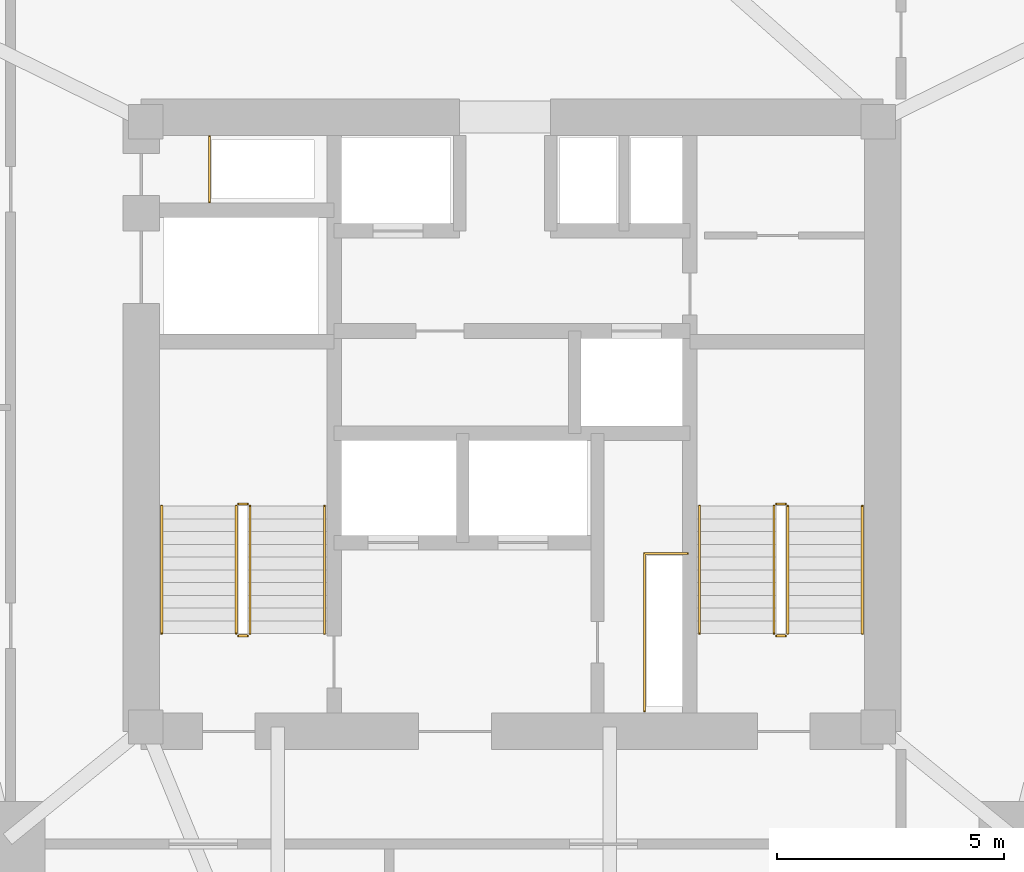
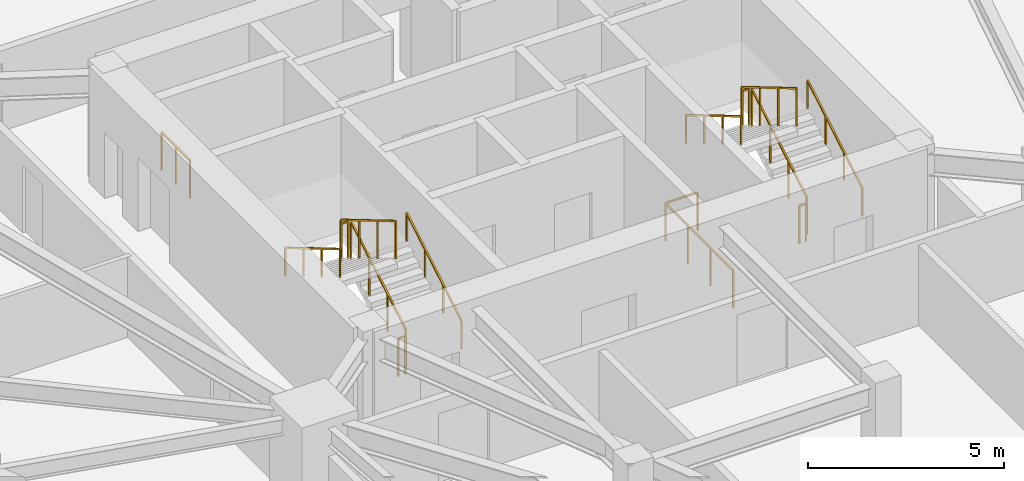
# One storey, part 13 of 13: 14 railings.
"""IFC4 building model written with IfcOpenShell, lengths in metres."""

from ifc_helpers import new_model, si_unit, direction, frame, origin, origin_2d, place, context, subcontext, project, spatial, rectangle, extrude, material, type_object, element, save


model = new_model("IFC4")

# Units and contexts
model_context = context("Model", 3, precision=1e-05, world=origin(), true_north=direction((0.0, 1.0)))
body_context = subcontext(model_context, "Body", "Model", "MODEL_VIEW")
ifc_project = project(units=[si_unit("LENGTHUNIT", "METRE"), si_unit("AREAUNIT", "SQUARE_METRE"), si_unit("VOLUMEUNIT", "CUBIC_METRE"), si_unit("PLANEANGLEUNIT", "RADIAN"), si_unit("MASSUNIT", "GRAM", prefix="KILO")], contexts=[model_context])

# Site, building, storey
site_placement = place(None, origin())
site = spatial("IfcSite", under=ifc_project, at=site_placement, CompositionType="ELEMENT")
building_placement = place(site_placement, origin())
building = spatial("IfcBuilding", under=site, at=building_placement, Name="Talyreon Biosciences Tower", CompositionType="ELEMENT")
storey_placement = place(building_placement, frame((0.0, 0.0, 104.199951171875)))
storey = spatial("IfcBuildingStorey", under=building, at=storey_placement, Name="L27", CompositionType="ELEMENT", Elevation=104.199951171875)

# Railings
ifc_material_1 = material(Name="Brushed stainless-steel tubular handrail", Category="steel")
railing_type_1 = type_object("IfcRailingType", Name="StairWallHandrail_900", PredefinedType="HANDRAIL", material=ifc_material_1)
railing_1_placement = place(storey_placement, frame((61.8798828125, 63.39990234375, 0.166015625)))
element("IfcRailing", 1, at=railing_1_placement, inside=storey, type_object=railing_type_1, Name="L27 ST-1 stair handrail 1", PredefinedType="HANDRAIL", context=body_context, shape_type="SweptSolid", body=[
    extrude(rectangle(XDim=0.048095703125, YDim=0.048095703125, at=origin_2d()), frame((0.0, 0.0, 0.8759765625), z_axis=(0.0, 0.860339051648, 0.50972219513), x_axis=(-1.0, 0.0, 0.0)), (0.0, 0.0, 1.0), 3.254638671875),
    extrude(rectangle(XDim=0.0419921875, YDim=0.0419921875, at=origin_2d()), origin(), (0.0, 0.0, 1.0), 0.851806640625),
    extrude(rectangle(XDim=0.0419921875, YDim=0.0419921875, at=origin_2d()), frame((0.0, 0.933349609375, 0.552978515625)), (0.0, 0.0, 1.0), 0.851806640625),
    extrude(rectangle(XDim=0.0419921875, YDim=0.0419921875, at=origin_2d()), frame((0.0, 1.86669921875, 1.10595703125)), (0.0, 0.0, 1.0), 0.851806640625),
    extrude(rectangle(XDim=0.0419921875, YDim=0.0419921875, at=origin_2d()), frame((0.0, 2.800048828125, 1.658935546875)), (0.0, 0.0, 1.0), 0.851806640625),
])
railing_2_placement = place(storey_placement, frame((58.300048828125, 66.199951171875, 1.990966796875)))
element("IfcRailing", 2, at=railing_2_placement, inside=storey, type_object=railing_type_1, Name="L27 ST-1 stair handrail 2", PredefinedType="HANDRAIL", context=body_context, shape_type="SweptSolid", body=[
    extrude(rectangle(XDim=0.048095703125, YDim=0.048095703125, at=origin_2d()), frame((0.0, 0.0, 0.8759765625), z_axis=(0.0, -0.860306154799, 0.50977771628), x_axis=(1.0, 0.0, 0.0)), (0.0, 0.0, 1.0), 3.254638671875),
    extrude(rectangle(XDim=0.0419921875, YDim=0.0419921875, at=origin_2d()), origin(), (0.0, 0.0, 1.0), 0.851806640625),
    extrude(rectangle(XDim=0.0419921875, YDim=0.0419921875, at=origin_2d()), frame((0.0, -0.933349609375, 0.552978515625)), (0.0, 0.0, 1.0), 0.851806640625),
    extrude(rectangle(XDim=0.0419921875, YDim=0.0419921875, at=origin_2d()), frame((0.0, -1.86669921875, 1.106201171875)), (0.0, 0.0, 1.0), 0.851806640625),
    extrude(rectangle(XDim=0.0419921875, YDim=0.0419921875, at=origin_2d()), frame((0.0, -2.800048828125, 1.6591796875)), (0.0, 0.0, 1.0), 0.851806640625),
])
railing_3_placement = place(storey_placement, frame((73.699951171875, 63.39990234375, 0.166015625)))
element("IfcRailing", 3, at=railing_3_placement, inside=storey, type_object=railing_type_1, Name="L27 ST-2 stair handrail 1", PredefinedType="HANDRAIL", context=body_context, shape_type="SweptSolid", body=[
    extrude(rectangle(XDim=0.048095703125, YDim=0.048095703125, at=origin_2d()), frame((0.0, 0.0, 0.8759765625), z_axis=(0.0, 0.860339051648, 0.50972219513), x_axis=(-1.0, 0.0, 0.0)), (0.0, 0.0, 1.0), 3.254638671875),
    extrude(rectangle(XDim=0.0419921875, YDim=0.0419921875, at=origin_2d()), origin(), (0.0, 0.0, 1.0), 0.851806640625),
    extrude(rectangle(XDim=0.0419921875, YDim=0.0419921875, at=origin_2d()), frame((0.0, 0.933349609375, 0.552978515625)), (0.0, 0.0, 1.0), 0.851806640625),
    extrude(rectangle(XDim=0.0419921875, YDim=0.0419921875, at=origin_2d()), frame((0.0, 1.86669921875, 1.10595703125)), (0.0, 0.0, 1.0), 0.851806640625),
    extrude(rectangle(XDim=0.0419921875, YDim=0.0419921875, at=origin_2d()), frame((0.0, 2.800048828125, 1.658935546875)), (0.0, 0.0, 1.0), 0.851806640625),
])
railing_4_placement = place(storey_placement, frame((70.1201171875, 66.199951171875, 1.990966796875)))
element("IfcRailing", 4, at=railing_4_placement, inside=storey, type_object=railing_type_1, Name="L27 ST-2 stair handrail 2", PredefinedType="HANDRAIL", context=body_context, shape_type="SweptSolid", body=[
    extrude(rectangle(XDim=0.048095703125, YDim=0.048095703125, at=origin_2d()), frame((0.0, 0.0, 0.8759765625), z_axis=(0.0, -0.860306154799, 0.50977771628), x_axis=(1.0, 0.0, 0.0)), (0.0, 0.0, 1.0), 3.254638671875),
    extrude(rectangle(XDim=0.0419921875, YDim=0.0419921875, at=origin_2d()), origin(), (0.0, 0.0, 1.0), 0.851806640625),
    extrude(rectangle(XDim=0.0419921875, YDim=0.0419921875, at=origin_2d()), frame((0.0, -0.933349609375, 0.552978515625)), (0.0, 0.0, 1.0), 0.851806640625),
    extrude(rectangle(XDim=0.0419921875, YDim=0.0419921875, at=origin_2d()), frame((0.0, -1.86669921875, 1.106201171875)), (0.0, 0.0, 1.0), 0.851806640625),
    extrude(rectangle(XDim=0.0419921875, YDim=0.0419921875, at=origin_2d()), frame((0.0, -2.800048828125, 1.6591796875)), (0.0, 0.0, 1.0), 0.851806640625),
])
ifc_material_2 = material(Name="Painted galvanised steel post-and-rail balustrade", Category="steel")
railing_type_2 = type_object("IfcRailingType", Name="TerraceStairGuard_1200", PredefinedType="GUARDRAIL", material=ifc_material_2)
railing_5_placement = place(storey_placement, frame((60.239990234375, 63.39990234375, 0.166015625)))
element("IfcRailing", 5, at=railing_5_placement, inside=storey, type_object=railing_type_2, Name="L27 ST-1 stair guard 1", PredefinedType="GUARDRAIL", context=body_context, shape_type="SweptSolid", body=[
    extrude(rectangle(XDim=0.048095703125, YDim=0.048095703125, at=origin_2d()), frame((0.0, 0.0, 1.17578125), z_axis=(0.0, 0.860339051648, 0.50972219513), x_axis=(-1.0, 0.0, 0.0)), (0.0, 0.0, 1.0), 3.254638671875),
    extrude(rectangle(XDim=0.0419921875, YDim=0.0419921875, at=origin_2d()), origin(), (0.0, 0.0, 1.0), 1.15185546875),
    extrude(rectangle(XDim=0.0419921875, YDim=0.0419921875, at=origin_2d()), frame((0.0, 0.933349609375, 0.552978515625)), (0.0, 0.0, 1.0), 1.15185546875),
    extrude(rectangle(XDim=0.0419921875, YDim=0.0419921875, at=origin_2d()), frame((0.0, 1.86669921875, 1.10595703125)), (0.0, 0.0, 1.0), 1.15185546875),
    extrude(rectangle(XDim=0.0419921875, YDim=0.0419921875, at=origin_2d()), frame((0.0, 2.800048828125, 1.658935546875)), (0.0, 0.0, 1.0), 1.15185546875),
])
railing_6_placement = place(storey_placement, frame((60.18994140625, 66.25, 1.824951171875)))
element("IfcRailing", 6, at=railing_6_placement, inside=storey, type_object=railing_type_2, Name="L27 ST-1 stair guard 2", PredefinedType="GUARDRAIL", context=body_context, shape_type="SweptSolid", body=[
    extrude(rectangle(XDim=0.048095703125, YDim=0.048095703125, at=origin_2d()), frame((0.0, 0.0, 1.17578125), z_axis=(-1.0, 0.0, 0.0), x_axis=(0.0, -1.0, 0.0)), (0.0, 0.0, 1.0), 0.199951171875),
    extrude(rectangle(XDim=0.0419921875, YDim=0.0419921875, at=origin_2d()), origin(), (0.0, 0.0, 1.0), 1.15185546875),
    extrude(rectangle(XDim=0.0419921875, YDim=0.0419921875, at=origin_2d()), frame((-0.199951171875, 0.0, 0.0)), (0.0, 0.0, 1.0), 1.15185546875),
])
railing_7_placement = place(storey_placement, frame((59.93994140625, 66.199951171875, 1.990966796875)))
element("IfcRailing", 7, at=railing_7_placement, inside=storey, type_object=railing_type_2, Name="L27 ST-1 stair guard 3", PredefinedType="GUARDRAIL", context=body_context, shape_type="SweptSolid", body=[
    extrude(rectangle(XDim=0.048095703125, YDim=0.048095703125, at=origin_2d()), frame((0.0, 0.0, 1.17578125), z_axis=(0.0, -0.860306154799, 0.50977771628), x_axis=(1.0, 0.0, 0.0)), (0.0, 0.0, 1.0), 3.254638671875),
    extrude(rectangle(XDim=0.0419921875, YDim=0.0419921875, at=origin_2d()), origin(), (0.0, 0.0, 1.0), 1.15185546875),
    extrude(rectangle(XDim=0.0419921875, YDim=0.0419921875, at=origin_2d()), frame((0.0, -0.933349609375, 0.552978515625)), (0.0, 0.0, 1.0), 1.15185546875),
    extrude(rectangle(XDim=0.0419921875, YDim=0.0419921875, at=origin_2d()), frame((0.0, -1.86669921875, 1.106201171875)), (0.0, 0.0, 1.0), 1.15185546875),
    extrude(rectangle(XDim=0.0419921875, YDim=0.0419921875, at=origin_2d()), frame((0.0, -2.800048828125, 1.6591796875)), (0.0, 0.0, 1.0), 1.15185546875),
])
railing_8_placement = place(storey_placement, frame((60.18994140625, 63.35009765625, 0.0)))
element("IfcRailing", 8, at=railing_8_placement, inside=storey, type_object=railing_type_2, Name="L27 ST-1 stair guard 4", PredefinedType="GUARDRAIL", context=body_context, shape_type="SweptSolid", body=[
    extrude(rectangle(XDim=0.048095703125, YDim=0.048095703125, at=origin_2d()), frame((0.0, 0.0, 1.17578125), z_axis=(-1.0, 0.0, 0.0), x_axis=(0.0, -1.0, 0.0)), (0.0, 0.0, 1.0), 0.199951171875),
    extrude(rectangle(XDim=0.0419921875, YDim=0.0419921875, at=origin_2d()), origin(), (0.0, 0.0, 1.0), 1.15185546875),
    extrude(rectangle(XDim=0.0419921875, YDim=0.0419921875, at=origin_2d()), frame((-0.199951171875, 0.0, 0.0)), (0.0, 0.0, 1.0), 1.15185546875),
])
railing_9_placement = place(storey_placement, frame((72.06005859375, 63.39990234375, 0.166015625)))
element("IfcRailing", 9, at=railing_9_placement, inside=storey, type_object=railing_type_2, Name="L27 ST-2 stair guard 1", PredefinedType="GUARDRAIL", context=body_context, shape_type="SweptSolid", body=[
    extrude(rectangle(XDim=0.048095703125, YDim=0.048095703125, at=origin_2d()), frame((0.0, 0.0, 1.17578125), z_axis=(0.0, 0.860339051648, 0.50972219513), x_axis=(-1.0, 0.0, 0.0)), (0.0, 0.0, 1.0), 3.254638671875),
    extrude(rectangle(XDim=0.0419921875, YDim=0.0419921875, at=origin_2d()), origin(), (0.0, 0.0, 1.0), 1.15185546875),
    extrude(rectangle(XDim=0.0419921875, YDim=0.0419921875, at=origin_2d()), frame((0.0, 0.933349609375, 0.552978515625)), (0.0, 0.0, 1.0), 1.15185546875),
    extrude(rectangle(XDim=0.0419921875, YDim=0.0419921875, at=origin_2d()), frame((0.0, 1.86669921875, 1.10595703125)), (0.0, 0.0, 1.0), 1.15185546875),
    extrude(rectangle(XDim=0.0419921875, YDim=0.0419921875, at=origin_2d()), frame((0.0, 2.800048828125, 1.658935546875)), (0.0, 0.0, 1.0), 1.15185546875),
])
railing_10_placement = place(storey_placement, frame((72.010009765625, 66.25, 1.824951171875)))
element("IfcRailing", 10, at=railing_10_placement, inside=storey, type_object=railing_type_2, Name="L27 ST-2 stair guard 2", PredefinedType="GUARDRAIL", context=body_context, shape_type="SweptSolid", body=[
    extrude(rectangle(XDim=0.048095703125, YDim=0.048095703125, at=origin_2d()), frame((0.0, 0.0, 1.17578125), z_axis=(-1.0, 0.0, 0.0), x_axis=(0.0, -1.0, 0.0)), (0.0, 0.0, 1.0), 0.199951171875),
    extrude(rectangle(XDim=0.0419921875, YDim=0.0419921875, at=origin_2d()), origin(), (0.0, 0.0, 1.0), 1.15185546875),
    extrude(rectangle(XDim=0.0419921875, YDim=0.0419921875, at=origin_2d()), frame((-0.199951171875, 0.0, 0.0)), (0.0, 0.0, 1.0), 1.15185546875),
])
railing_11_placement = place(storey_placement, frame((71.760009765625, 66.199951171875, 1.990966796875)))
element("IfcRailing", 11, at=railing_11_placement, inside=storey, type_object=railing_type_2, Name="L27 ST-2 stair guard 3", PredefinedType="GUARDRAIL", context=body_context, shape_type="SweptSolid", body=[
    extrude(rectangle(XDim=0.048095703125, YDim=0.048095703125, at=origin_2d()), frame((0.0, 0.0, 1.17578125), z_axis=(0.0, -0.860306154799, 0.50977771628), x_axis=(1.0, 0.0, 0.0)), (0.0, 0.0, 1.0), 3.254638671875),
    extrude(rectangle(XDim=0.0419921875, YDim=0.0419921875, at=origin_2d()), origin(), (0.0, 0.0, 1.0), 1.15185546875),
    extrude(rectangle(XDim=0.0419921875, YDim=0.0419921875, at=origin_2d()), frame((0.0, -0.933349609375, 0.552978515625)), (0.0, 0.0, 1.0), 1.15185546875),
    extrude(rectangle(XDim=0.0419921875, YDim=0.0419921875, at=origin_2d()), frame((0.0, -1.86669921875, 1.106201171875)), (0.0, 0.0, 1.0), 1.15185546875),
    extrude(rectangle(XDim=0.0419921875, YDim=0.0419921875, at=origin_2d()), frame((0.0, -2.800048828125, 1.6591796875)), (0.0, 0.0, 1.0), 1.15185546875),
])
railing_12_placement = place(storey_placement, frame((72.010009765625, 63.35009765625, 0.0)))
element("IfcRailing", 12, at=railing_12_placement, inside=storey, type_object=railing_type_2, Name="L27 ST-2 stair guard 4", PredefinedType="GUARDRAIL", context=body_context, shape_type="SweptSolid", body=[
    extrude(rectangle(XDim=0.048095703125, YDim=0.048095703125, at=origin_2d()), frame((0.0, 0.0, 1.17578125), z_axis=(-1.0, 0.0, 0.0), x_axis=(0.0, -1.0, 0.0)), (0.0, 0.0, 1.0), 0.199951171875),
    extrude(rectangle(XDim=0.0419921875, YDim=0.0419921875, at=origin_2d()), origin(), (0.0, 0.0, 1.0), 1.15185546875),
    extrude(rectangle(XDim=0.0419921875, YDim=0.0419921875, at=origin_2d()), frame((-0.199951171875, 0.0, 0.0)), (0.0, 0.0, 1.0), 1.15185546875),
])
railing_13_placement = place(storey_placement, frame((59.35009765625, 72.8798828125, 0.0)))
element("IfcRailing", 13, at=railing_13_placement, inside=storey, type_object=railing_type_2, Name="L27 Exhaust Riser Maintenance Guardrail", PredefinedType="GUARDRAIL", context=body_context, shape_type="SweptSolid", body=[
    extrude(rectangle(XDim=0.048095703125, YDim=0.048095703125, at=origin_2d()), frame((0.0, 0.0, 1.17578125), z_axis=(0.0, 1.0, 0.0), x_axis=(-1.0, 0.0, 0.0)), (0.0, 0.0, 1.0), 1.4501953125),
    extrude(rectangle(XDim=0.0419921875, YDim=0.0419921875, at=origin_2d()), origin(), (0.0, 0.0, 1.0), 1.15185546875),
    extrude(rectangle(XDim=0.0419921875, YDim=0.0419921875, at=origin_2d()), frame((0.0, 0.72509765625, 0.0)), (0.0, 0.0, 1.0), 1.15185546875),
    extrude(rectangle(XDim=0.0419921875, YDim=0.0419921875, at=origin_2d()), frame((0.0, 1.4501953125, 0.0)), (0.0, 0.0, 1.0), 1.15185546875),
])
railing_14_placement = place(storey_placement, frame((68.909912109375, 61.699951171875, 0.0)))
element("IfcRailing", 14, at=railing_14_placement, inside=storey, type_object=railing_type_2, Name="L27 Electrical Riser Maintenance Guardrail", PredefinedType="GUARDRAIL", context=body_context, shape_type="SweptSolid", body=[
    extrude(rectangle(XDim=0.048095703125, YDim=0.048095703125, at=origin_2d()), frame((0.0, 0.0, 1.17578125), z_axis=(0.0, 1.0, 0.0), x_axis=(-1.0, 0.0, 0.0)), (0.0, 0.0, 1.0), 3.4599609375),
    extrude(rectangle(XDim=0.048095703125, YDim=0.048095703125, at=origin_2d()), frame((0.0, 3.4599609375, 1.17578125), z_axis=(1.0, 0.0, 0.0), x_axis=(0.0, 1.0, 0.0)), (0.0, 0.0, 1.0), 0.9501953125),
    extrude(rectangle(XDim=0.0419921875, YDim=0.0419921875, at=origin_2d()), origin(), (0.0, 0.0, 1.0), 1.15185546875),
    extrude(rectangle(XDim=0.0419921875, YDim=0.0419921875, at=origin_2d()), frame((0.0, 1.1533203125, 0.0)), (0.0, 0.0, 1.0), 1.15185546875),
    extrude(rectangle(XDim=0.0419921875, YDim=0.0419921875, at=origin_2d()), frame((0.0, 2.306640625, 0.0)), (0.0, 0.0, 1.0), 1.15185546875),
    extrude(rectangle(XDim=0.0419921875, YDim=0.0419921875, at=origin_2d()), frame((0.0, 3.4599609375, 0.0)), (0.0, 0.0, 1.0), 1.15185546875),
    extrude(rectangle(XDim=0.0419921875, YDim=0.0419921875, at=origin_2d()), frame((0.9501953125, 3.4599609375, 0.0)), (0.0, 0.0, 1.0), 1.15185546875),
])

save(model, "model.ifc")
